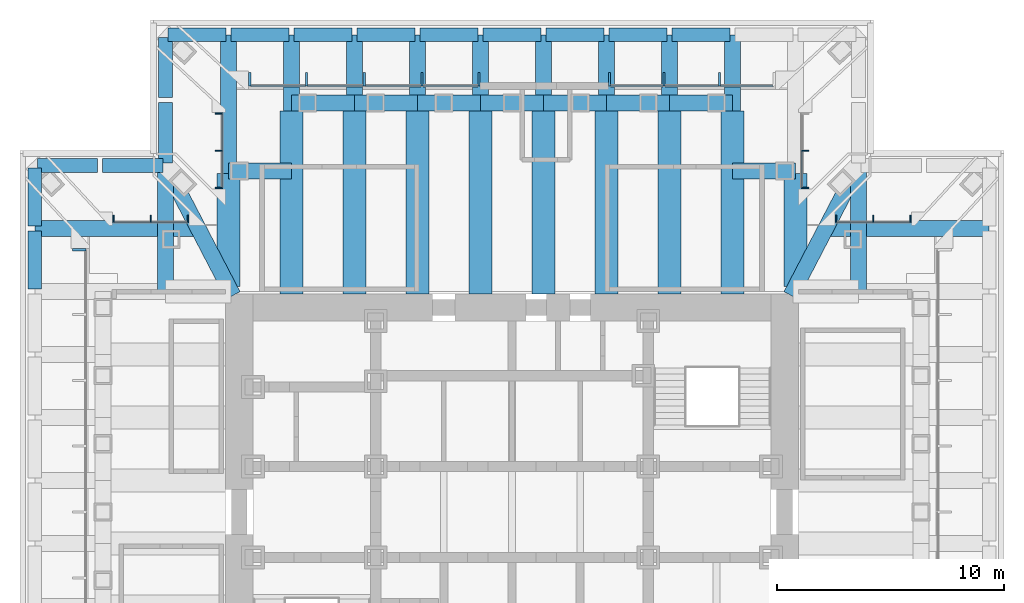
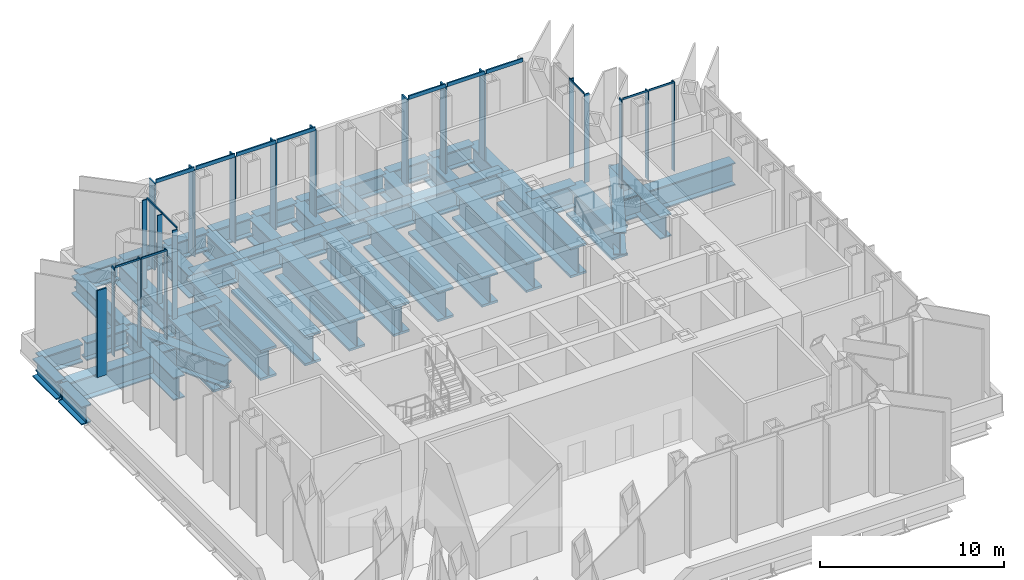
# One storey, part 5 of 13: 49 beams, 34 members, 7 elements without a shape of their own.
"""IFC4 building model written with IfcOpenShell, lengths in metres."""

import ifcopenshell
import ifcopenshell.guid

model = None  # the IFC model being written
_history = None  # IfcOwnerHistory: only IFC2X3 demands one
_inside = {}  # id of a spatial element -> (the spatial element, [elements in it])
_under = {}  # id of a project, library or spatial element -> (it, [spatial elements below it])
_declared = {}  # id of a project -> (the project, [libraries it declares])
_typed = {}  # id of a type object -> (the type object, [elements of that type])
_made_of = {}  # id of a material, layer set ... -> (it, [elements and type objects made of it])


def new_model(schema):
    """Start an empty IFC model of exactly this schema.

    Asked for "IFC4X3", IfcOpenShell would pick the latest addendum, in which some entities
    have other attributes; the version numbers below select the first issue.
    IFC2X3 requires an IfcOwnerHistory on every rooted entity: one is made here for all.
    """
    global model, _history
    if schema == "IFC4X3":
        model = ifcopenshell.file(schema_version=(4, 3, 0, 0))
    else:
        model = ifcopenshell.file(schema=schema)
    _inside.clear()
    _under.clear()
    _declared.clear()
    _typed.clear()
    _made_of.clear()
    _history = None
    if model.schema == "IFC2X3":
        org = make("IfcOrganization", Name="unknown")
        user = make(
            "IfcPersonAndOrganization",
            ThePerson=make("IfcPerson", FamilyName="unknown"),
            TheOrganization=org,
        )
        app = make(
            "IfcApplication",
            ApplicationDeveloper=org,
            Version="unknown",
            ApplicationFullName="unknown",
            ApplicationIdentifier="unknown",
        )
        _history = make(
            "IfcOwnerHistory",
            OwningUser=user,
            OwningApplication=app,
            ChangeAction="ADDED",
            CreationDate=0,
        )
    return model


def make(cls, **values):
    """One entity of the class cls with the attributes given. An attribute that is None is left unset."""
    return model.create_entity(
        cls, **{name: value for name, value in values.items() if value is not None}
    )


def rooted(cls, **values):
    """An entity with a GlobalId (a new one), such as an element, a storey or a relation."""
    return make(cls, GlobalId=ifcopenshell.guid.new(), OwnerHistory=_history, **values)


def si_unit(unit_type, name, prefix=None):
    """IfcSIUnit, for example si_unit("LENGTHUNIT", "METRE", prefix="MILLI")."""
    return make("IfcSIUnit", UnitType=unit_type, Prefix=prefix, Name=name)


def assignment(units):
    """IfcUnitAssignment: the units of a project."""
    return None if units is None else make("IfcUnitAssignment", Units=units)


def point(xyz):
    """IfcCartesianPoint."""
    return None if xyz is None else make("IfcCartesianPoint", Coordinates=xyz)


def direction(xyz):
    """IfcDirection."""
    return None if xyz is None else make("IfcDirection", DirectionRatios=xyz)


def frame(location, z_axis=None, x_axis=None):
    """IfcAxis2Placement3D, a coordinate frame: its origin and axes. An axis left out is left unset."""
    return make(
        "IfcAxis2Placement3D",
        Location=point(location),
        Axis=direction(z_axis),
        RefDirection=direction(x_axis),
    )


def frame_2d(location, x_axis=None):
    """IfcAxis2Placement2D, a coordinate frame in the plane: its origin and x axis."""
    return make(
        "IfcAxis2Placement2D", Location=point(location), RefDirection=direction(x_axis)
    )


def origin():
    """The frame at (0, 0, 0) with its axes left unset."""
    return frame((0.0, 0.0, 0.0))


def origin_2d():
    """The frame at (0, 0) in the plane with its x axis left unset."""
    return frame_2d((0.0, 0.0))


def place(relative_to, where):
    """IfcLocalPlacement: puts the frame where relative to a parent placement (None: the world)."""
    return make(
        "IfcLocalPlacement", PlacementRelTo=relative_to, RelativePlacement=where
    )


def context(
    kind, dimensions, precision=None, world=None, true_north=None, identifier=None
):
    """IfcGeometricRepresentationContext, for example the 3D "Model" context."""
    return make(
        "IfcGeometricRepresentationContext",
        ContextIdentifier=identifier,
        ContextType=kind,
        CoordinateSpaceDimension=dimensions,
        Precision=precision,
        WorldCoordinateSystem=world,
        TrueNorth=true_north,
    )


def subcontext(parent, identifier, kind, view, scale=None):
    """IfcGeometricRepresentationSubContext, for example "Body" below "Model"."""
    return make(
        "IfcGeometricRepresentationSubContext",
        ContextIdentifier=identifier,
        ContextType=kind,
        ParentContext=parent,
        TargetScale=scale,
        TargetView=view,
    )


def project(units=None, contexts=None):
    """IfcProject with its units and contexts."""
    return rooted(
        "IfcProject",
        Name="project",
        RepresentationContexts=contexts,
        UnitsInContext=assignment(units),
    )


def spatial(cls, under=None, at=None, **own):
    """A site, building, storey or space (cls), placed at a placement, below another one or the project."""
    s = rooted(cls, ObjectPlacement=at, **own)
    if under is not None:
        _under.setdefault(under.id(), (under, []))[1].append(s)
    return s


def profile(cls, at=None, kind="AREA", **sizes):
    """A parametric profile (cls). Its sizes go by their IFC names, for example OverallWidth=200.0."""
    return make(cls, ProfileType=kind, Position=at, **sizes)


def rectangle(**sizes):
    """IfcRectangleProfileDef."""
    return profile("IfcRectangleProfileDef", **sizes)


def i_section(**sizes):
    """IfcIShapeProfileDef."""
    return profile("IfcIShapeProfileDef", **sizes)


def extrude(swept, where, along, depth):
    """IfcExtrudedAreaSolid: the profile swept, set in the frame where, extruded along a direction by depth."""
    return make(
        "IfcExtrudedAreaSolid",
        SweptArea=swept,
        Position=where,
        ExtrudedDirection=direction(along),
        Depth=depth,
    )


def shape(context_of_items, identifier, shape_type, items):
    """IfcShapeRepresentation: the items that make up one representation, for example the "Body"."""
    return make(
        "IfcShapeRepresentation",
        ContextOfItems=context_of_items,
        RepresentationIdentifier=identifier,
        RepresentationType=shape_type,
        Items=items,
    )


def material(Name=None, Category=None):
    """IfcMaterial."""
    return make("IfcMaterial", Name=Name, Category=Category)


def material_profile(
    of_material, cross_section, Name=None, Category=None, Priority=None
):
    """IfcMaterialProfile: a cross section and its material."""
    return make(
        "IfcMaterialProfile",
        Name=Name,
        Material=of_material,
        Profile=cross_section,
        Priority=Priority,
        Category=Category,
    )


def profile_set(profiles, Name=None, composite=None):
    """IfcMaterialProfileSet."""
    return make(
        "IfcMaterialProfileSet",
        Name=Name,
        MaterialProfiles=profiles,
        CompositeProfile=composite,
    )


def made_of(thing, what):
    """Note that an element or type object is made of a material, layer set ...; save() writes the relation."""
    if what is not None:
        _made_of.setdefault(what.id(), (what, []))[1].append(thing)
    return thing


def type_object(cls, material=None, **own):
    """A type object (cls), such as IfcWallType, which elements share."""
    return made_of(rooted(cls, **own), material)


def element(
    cls,
    number,
    at=None,
    inside=None,
    cuts=None,
    type_object=None,
    material=None,
    context=None,
    identifier="Body",
    shape_type=None,
    held_by="IfcProductDefinitionShape",
    body=None,
    shapes=None,
    **own,
):
    """One element of the class cls, such as IfcWall. Its Tag is "e" and its number.

    at: its placement. inside: the storey or other place that contains it. cuts: it is an
    opening in that element (IfcRelVoidsElement). A single representation is given by context,
    identifier, shape_type and body (its items); several are given by shapes. held_by: the class
    of the entity that holds the representations. save() writes the other relations.
    """
    e = rooted(cls, Tag="e%d" % number, ObjectPlacement=at, **own)
    if body is not None:
        shapes = [shape(context, identifier, shape_type, body)]
    if shapes is not None:
        e.Representation = make(held_by, Representations=shapes)
    if inside is not None:
        _inside.setdefault(inside.id(), (inside, []))[1].append(e)
    if cuts is not None:
        rooted(
            "IfcRelVoidsElement", RelatingBuildingElement=cuts, RelatedOpeningElement=e
        )
    if type_object is not None:
        _typed.setdefault(type_object.id(), (type_object, []))[1].append(e)
    return made_of(e, material)


def aggregate(whole, parts):
    """IfcRelAggregates: a whole, such as a stair, and the parts it consists of."""
    return rooted("IfcRelAggregates", RelatingObject=whole, RelatedObjects=parts)


def save(model, path):
    """Write the relations noted so far, then the file.

    IfcRelAggregates (storeys below a building ...), IfcRelContainedInSpatialStructure (elements
    in a storey), IfcRelDefinesByType, IfcRelAssociatesMaterial and IfcRelDeclares: one each for
    every whole, place, type object, material and project.
    """
    for whole, parts in _under.values():
        aggregate(whole, parts)
    for where, things in _inside.values():
        rooted(
            "IfcRelContainedInSpatialStructure",
            RelatedElements=things,
            RelatingStructure=where,
        )
    for kind, things in _typed.values():
        rooted("IfcRelDefinesByType", RelatedObjects=things, RelatingType=kind)
    for what, things in _made_of.values():
        rooted("IfcRelAssociatesMaterial", RelatedObjects=things, RelatingMaterial=what)
    for by, libraries in _declared.values():
        rooted("IfcRelDeclares", RelatingContext=by, RelatedDefinitions=libraries)
    model.write(path)


model = new_model("IFC4")

# Units and contexts
model_context = context("Model", 3, precision=1e-05, world=origin(), true_north=direction((0.0, 1.0)))
body_context = subcontext(model_context, "Body", "Model", "MODEL_VIEW")
ifc_project = project(units=[si_unit("LENGTHUNIT", "METRE"), si_unit("AREAUNIT", "SQUARE_METRE"), si_unit("VOLUMEUNIT", "CUBIC_METRE"), si_unit("PLANEANGLEUNIT", "RADIAN"), si_unit("MASSUNIT", "GRAM", prefix="KILO")], contexts=[model_context])

# Site, building, storey
site_placement = place(None, origin())
site = spatial("IfcSite", under=ifc_project, at=site_placement, CompositionType="ELEMENT")
building_placement = place(site_placement, origin())
building = spatial("IfcBuilding", under=site, at=building_placement, Name="Daluyong Arena Tower", CompositionType="ELEMENT")
storey_placement = place(building_placement, frame((0.0, 0.0, 279.699951171875)))
storey = spatial("IfcBuildingStorey", under=building, at=storey_placement, Name="L63", CompositionType="ELEMENT", Elevation=279.699951171875)

# Curtain wall, members
ifc_material_1 = material(Name="Bronze anodised aluminium and glass", Category="aluminium")
curtain_wall_type_1 = type_object("IfcCurtainWallType", Name="Curtain wall CW5", PredefinedType="USERDEFINED", material=ifc_material_1)
curtain_wall_1_placement = place(storey_placement, origin())
curtain_wall_1 = element("IfcCurtainWall", 1, at=curtain_wall_1_placement, inside=storey, type_object=curtain_wall_type_1, Name="curtain wall L63 N part 1", ObjectType="UNITISED CURTAIN WALL", PredefinedType="USERDEFINED")
ifc_material_2 = material(Name="Bronze anodised aluminium fin", Category="aluminium")
ifc_material_profile_1 = material_profile(ifc_material_2, rectangle(XDim=0.60009765625, YDim=0.090087890625, at=origin_2d()))
ifc_profile_set_1 = profile_set([ifc_material_profile_1], Name="Bronze anodised aluminium fin")
member_type_1 = type_object("IfcMemberType", Name="CW5 bronze fin 600x90", PredefinedType="MULLION", material=ifc_profile_set_1)
member_1_placement = place(storey_placement, frame((65.140380859375, 99.050048828125, 0.0), z_axis=(0.0, 0.0, 1.0), x_axis=(0.0, -1.0, 0.0)))
member_1 = element("IfcMember", 2, at=member_1_placement, type_object=member_type_1, Name="curtain wall L63 N part 1 fin 2", PredefinedType="MULLION", context=body_context, shape_type="SweptSolid", body=[
    extrude(rectangle(XDim=0.60009765625, YDim=0.090087890625, at=origin_2d()), origin(), (0.0, 0.0, 1.0), 5.760009765625),
])
member_2_placement = place(storey_placement, frame((62.695068359375, 99.050048828125, 0.0), z_axis=(0.0, 0.0, 1.0), x_axis=(0.0, -1.0, 0.0)))
member_2 = element("IfcMember", 3, at=member_2_placement, type_object=member_type_1, Name="curtain wall L63 N part 1 fin 3", PredefinedType="MULLION", context=body_context, shape_type="SweptSolid", body=[
    extrude(rectangle(XDim=0.60009765625, YDim=0.090087890625, at=origin_2d()), origin(), (0.0, 0.0, 1.0), 5.760009765625),
])
member_3_placement = place(storey_placement, frame((60.294921875, 99.050048828125, 0.0), z_axis=(0.0, 0.0, 1.0), x_axis=(0.0, -1.0, 0.0)))
member_3 = element("IfcMember", 4, at=member_3_placement, type_object=member_type_1, Name="curtain wall L63 N part 1 fin 4", PredefinedType="MULLION", context=body_context, shape_type="SweptSolid", body=[
    extrude(rectangle(XDim=0.60009765625, YDim=0.090087890625, at=origin_2d()), origin(), (0.0, 0.0, 1.0), 5.760009765625),
])

curtain_wall_2_placement = place(storey_placement, origin())
curtain_wall_2 = element("IfcCurtainWall", 5, at=curtain_wall_2_placement, inside=storey, type_object=curtain_wall_type_1, Name="curtain wall L63 N part 2", ObjectType="UNITISED CURTAIN WALL", PredefinedType="USERDEFINED")
member_4_placement = place(storey_placement, frame((54.538330078125, 99.050048828125, 0.0), z_axis=(0.0, 0.0, 1.0), x_axis=(0.0, -1.0, 0.0)))
member_4 = element("IfcMember", 6, at=member_4_placement, type_object=member_type_1, Name="curtain wall L63 N part 2 fin 1", PredefinedType="MULLION", context=body_context, shape_type="SweptSolid", body=[
    extrude(rectangle(XDim=0.60009765625, YDim=0.090087890625, at=origin_2d()), origin(), (0.0, 0.0, 1.0), 5.760009765625),
])
member_5_placement = place(storey_placement, frame((52.041015625, 99.050048828125, 0.0), z_axis=(0.0, 0.0, 1.0), x_axis=(0.0, -1.0, 0.0)))
member_5 = element("IfcMember", 7, at=member_5_placement, type_object=member_type_1, Name="curtain wall L63 N part 2 fin 2", PredefinedType="MULLION", context=body_context, shape_type="SweptSolid", body=[
    extrude(rectangle(XDim=0.60009765625, YDim=0.090087890625, at=origin_2d()), origin(), (0.0, 0.0, 1.0), 5.760009765625),
])
member_6_placement = place(storey_placement, frame((49.498779296875, 99.050048828125, 0.0), z_axis=(0.0, 0.0, 1.0), x_axis=(0.0, -1.0, 0.0)))
member_6 = element("IfcMember", 8, at=member_6_placement, type_object=member_type_1, Name="curtain wall L63 N part 2 fin 3", PredefinedType="MULLION", context=body_context, shape_type="SweptSolid", body=[
    extrude(rectangle(XDim=0.60009765625, YDim=0.090087890625, at=origin_2d()), origin(), (0.0, 0.0, 1.0), 5.760009765625),
])
member_7_placement = place(storey_placement, frame((46.956787109375, 99.050048828125, 0.0), z_axis=(0.0, 0.0, 1.0), x_axis=(0.0, -1.0, 0.0)))
member_7 = element("IfcMember", 9, at=member_7_placement, type_object=member_type_1, Name="curtain wall L63 N part 2 fin 4", PredefinedType="MULLION", context=body_context, shape_type="SweptSolid", body=[
    extrude(rectangle(XDim=0.60009765625, YDim=0.090087890625, at=origin_2d()), origin(), (0.0, 0.0, 1.0), 5.760009765625),
])
member_8_placement = place(storey_placement, frame((44.45947265625, 99.050048828125, 0.0), z_axis=(0.0, 0.0, 1.0), x_axis=(0.0, -1.0, 0.0)))
member_8 = element("IfcMember", 10, at=member_8_placement, type_object=member_type_1, Name="curtain wall L63 N part 2 fin 5", PredefinedType="MULLION", context=body_context, shape_type="SweptSolid", body=[
    extrude(rectangle(XDim=0.60009765625, YDim=0.090087890625, at=origin_2d()), origin(), (0.0, 0.0, 1.0), 5.760009765625),
])

# Curtain wall, member
curtain_wall_3_placement = place(storey_placement, origin())
curtain_wall_3 = element("IfcCurtainWall", 11, at=curtain_wall_3_placement, inside=storey, type_object=curtain_wall_type_1, Name="curtain wall L63 W", ObjectType="UNITISED CURTAIN WALL", PredefinedType="USERDEFINED")
member_9_placement = place(storey_placement, frame((36.949951171875, 91.54052734375, 0.0), z_axis=(0.0, 0.0, 1.0), x_axis=(1.0, 0.0, 0.0)))
member_9 = element("IfcMember", 12, at=member_9_placement, type_object=member_type_1, Name="curtain wall L63 W fin 1", PredefinedType="MULLION", context=body_context, shape_type="SweptSolid", body=[
    extrude(rectangle(XDim=0.60009765625, YDim=0.090087890625, at=origin_2d()), origin(), (0.0, 0.0, 1.0), 5.760009765625),
])
aggregate(curtain_wall_3, [member_9])

# Member
ifc_material_3 = material(Name="Bronze anodised aluminium", Category="aluminium")
ifc_material_profile_2 = material_profile(ifc_material_3, rectangle(XDim=0.090087890625, YDim=0.239990234375, at=origin_2d()))
ifc_profile_set_2 = profile_set([ifc_material_profile_2], Name="Bronze anodised aluminium")
member_type_2 = type_object("IfcMemberType", Name="CW5 stack transom 240x90", PredefinedType="USERDEFINED", material=ifc_profile_set_2)
member_10_placement = place(storey_placement, frame((67.49560546875, 98.75, 5.880126953125), z_axis=(-1.0, 0.0, 0.0), x_axis=(0.0, -1.0, 0.0)))
member_10 = element("IfcMember", 13, at=member_10_placement, type_object=member_type_2, Name="curtain wall L63 N part 1 transom 1", ObjectType="TRANSOM", PredefinedType="USERDEFINED", context=body_context, shape_type="SweptSolid", body=[
    extrude(rectangle(XDim=0.090087890625, YDim=0.239990234375, at=origin_2d()), origin(), (0.0, 0.0, 1.0), 2.310302734375),
])

member_11_placement = place(storey_placement, frame((65.09521484375, 98.75, 5.880126953125), z_axis=(-1.0, 0.0, 0.0), x_axis=(0.0, -1.0, 0.0)))
member_11 = element("IfcMember", 14, at=member_11_placement, type_object=member_type_2, Name="curtain wall L63 N part 1 transom 2", ObjectType="TRANSOM", PredefinedType="USERDEFINED", context=body_context, shape_type="SweptSolid", body=[
    extrude(rectangle(XDim=0.090087890625, YDim=0.239990234375, at=origin_2d()), origin(), (0.0, 0.0, 1.0), 2.35498046875),
])

member_12_placement = place(storey_placement, frame((62.650146484375, 98.75, 5.880126953125), z_axis=(-1.0, 0.0, 0.0), x_axis=(0.0, -1.0, 0.0)))
member_12 = element("IfcMember", 15, at=member_12_placement, type_object=member_type_2, Name="curtain wall L63 N part 1 transom 3", ObjectType="TRANSOM", PredefinedType="USERDEFINED", context=body_context, shape_type="SweptSolid", body=[
    extrude(rectangle(XDim=0.090087890625, YDim=0.239990234375, at=origin_2d()), origin(), (0.0, 0.0, 1.0), 2.31005859375),
])

aggregate(curtain_wall_1, [member_1, member_2, member_3, member_10, member_11, member_12])

member_13_placement = place(storey_placement, frame((54.493408203125, 98.75, 5.880126953125), z_axis=(-1.0, 0.0, 0.0), x_axis=(0.0, -1.0, 0.0)))
member_13 = element("IfcMember", 16, at=member_13_placement, type_object=member_type_2, Name="curtain wall L63 N part 2 transom 1", ObjectType="TRANSOM", PredefinedType="USERDEFINED", context=body_context, shape_type="SweptSolid", body=[
    extrude(rectangle(XDim=0.090087890625, YDim=0.239990234375, at=origin_2d()), origin(), (0.0, 0.0, 1.0), 2.4072265625),
])

member_14_placement = place(storey_placement, frame((51.99609375, 98.75, 5.880126953125), z_axis=(-1.0, 0.0, 0.0), x_axis=(0.0, -1.0, 0.0)))
member_14 = element("IfcMember", 17, at=member_14_placement, type_object=member_type_2, Name="curtain wall L63 N part 2 transom 2", ObjectType="TRANSOM", PredefinedType="USERDEFINED", context=body_context, shape_type="SweptSolid", body=[
    extrude(rectangle(XDim=0.090087890625, YDim=0.239990234375, at=origin_2d()), origin(), (0.0, 0.0, 1.0), 2.4521484375),
])

member_15_placement = place(storey_placement, frame((49.453857421875, 98.75, 5.880126953125), z_axis=(-1.0, 0.0, 0.0), x_axis=(0.0, -1.0, 0.0)))
member_15 = element("IfcMember", 18, at=member_15_placement, type_object=member_type_2, Name="curtain wall L63 N part 2 transom 3", ObjectType="TRANSOM", PredefinedType="USERDEFINED", context=body_context, shape_type="SweptSolid", body=[
    extrude(rectangle(XDim=0.090087890625, YDim=0.239990234375, at=origin_2d()), origin(), (0.0, 0.0, 1.0), 2.4521484375),
])

member_16_placement = place(storey_placement, frame((46.91162109375, 98.75, 5.880126953125), z_axis=(-1.0, 0.0, 0.0), x_axis=(0.0, -1.0, 0.0)))
member_16 = element("IfcMember", 19, at=member_16_placement, type_object=member_type_2, Name="curtain wall L63 N part 2 transom 4", ObjectType="TRANSOM", PredefinedType="USERDEFINED", context=body_context, shape_type="SweptSolid", body=[
    extrude(rectangle(XDim=0.090087890625, YDim=0.239990234375, at=origin_2d()), origin(), (0.0, 0.0, 1.0), 2.4072265625),
])

aggregate(curtain_wall_2, [member_4, member_5, member_6, member_7, member_8, member_13, member_14, member_15, member_16])

# Curtain wall, members
ifc_material_4 = material(Name="Bronze anodised aluminium and glass", Category="aluminium")
curtain_wall_type_2 = type_object("IfcCurtainWallType", Name="Curtain wall CW7", PredefinedType="USERDEFINED", material=ifc_material_4)
curtain_wall_4_placement = place(storey_placement, origin())
curtain_wall_4 = element("IfcCurtainWall", 20, at=curtain_wall_4_placement, inside=storey, type_object=curtain_wall_type_2, Name="curtain wall L63 NE-N", ObjectType="UNITISED CURTAIN WALL", PredefinedType="USERDEFINED")
ifc_material_5 = material(Name="Bronze anodised aluminium fin", Category="aluminium")
ifc_material_profile_3 = material_profile(ifc_material_5, rectangle(XDim=0.300048828125, YDim=0.06005859375, at=origin_2d()))
ifc_profile_set_3 = profile_set([ifc_material_profile_3], Name="Bronze anodised aluminium fin")
member_type_3 = type_object("IfcMemberType", Name="CW7 bronze fin 300x60", PredefinedType="MULLION", material=ifc_profile_set_3)
member_17_placement = place(storey_placement, frame((73.54052734375, 92.89990234375, 0.0), z_axis=(0.0, 0.0, 1.0), x_axis=(0.0, -1.0, 0.0)))
member_17 = element("IfcMember", 21, at=member_17_placement, type_object=member_type_3, Name="curtain wall L63 NE-N fin 1", PredefinedType="MULLION", context=body_context, shape_type="SweptSolid", body=[
    extrude(rectangle(XDim=0.300048828125, YDim=0.06005859375, at=origin_2d()), origin(), (0.0, 0.0, 1.0), 5.880126953125),
])
member_18_placement = place(storey_placement, frame((71.896240234375, 92.89990234375, 0.0), z_axis=(0.0, 0.0, 1.0), x_axis=(0.0, -1.0, 0.0)))
member_18 = element("IfcMember", 22, at=member_18_placement, type_object=member_type_3, Name="curtain wall L63 NE-N fin 2", PredefinedType="MULLION", context=body_context, shape_type="SweptSolid", body=[
    extrude(rectangle(XDim=0.300048828125, YDim=0.06005859375, at=origin_2d()), origin(), (0.0, 0.0, 1.0), 5.880126953125),
])
member_19_placement = place(storey_placement, frame((70.252197265625, 92.89990234375, 0.0), z_axis=(0.0, 0.0, 1.0), x_axis=(0.0, -1.0, 0.0)))
member_19 = element("IfcMember", 23, at=member_19_placement, type_object=member_type_3, Name="curtain wall L63 NE-N fin 3", PredefinedType="MULLION", context=body_context, shape_type="SweptSolid", body=[
    extrude(rectangle(XDim=0.300048828125, YDim=0.06005859375, at=origin_2d()), origin(), (0.0, 0.0, 1.0), 5.880126953125),
])

curtain_wall_5_placement = place(storey_placement, origin())
curtain_wall_5 = element("IfcCurtainWall", 24, at=curtain_wall_5_placement, inside=storey, type_object=curtain_wall_type_2, Name="curtain wall L63 NE-E", ObjectType="UNITISED CURTAIN WALL", PredefinedType="USERDEFINED")
member_20_placement = place(storey_placement, frame((68.89990234375, 94.252197265625, 0.0), z_axis=(0.0, 0.0, 1.0), x_axis=(-1.0, 0.0, 0.0)))
member_20 = element("IfcMember", 25, at=member_20_placement, type_object=member_type_3, Name="curtain wall L63 NE-E fin 1", PredefinedType="MULLION", context=body_context, shape_type="SweptSolid", body=[
    extrude(rectangle(XDim=0.300048828125, YDim=0.06005859375, at=origin_2d()), origin(), (0.0, 0.0, 1.0), 5.880126953125),
])
member_21_placement = place(storey_placement, frame((68.89990234375, 95.896240234375, 0.0), z_axis=(0.0, 0.0, 1.0), x_axis=(-1.0, 0.0, 0.0)))
member_21 = element("IfcMember", 26, at=member_21_placement, type_object=member_type_3, Name="curtain wall L63 NE-E fin 2", PredefinedType="MULLION", context=body_context, shape_type="SweptSolid", body=[
    extrude(rectangle(XDim=0.300048828125, YDim=0.06005859375, at=origin_2d()), origin(), (0.0, 0.0, 1.0), 5.880126953125),
])

curtain_wall_6_placement = place(storey_placement, origin())
curtain_wall_6 = element("IfcCurtainWall", 27, at=curtain_wall_6_placement, inside=storey, type_object=curtain_wall_type_2, Name="curtain wall L63 NW-W", ObjectType="UNITISED CURTAIN WALL", PredefinedType="USERDEFINED")
member_22_placement = place(storey_placement, frame((43.10009765625, 97.54052734375, 0.0), z_axis=(0.0, 0.0, 1.0), x_axis=(1.0, 0.0, 0.0)))
member_22 = element("IfcMember", 28, at=member_22_placement, type_object=member_type_3, Name="curtain wall L63 NW-W fin 1", PredefinedType="MULLION", context=body_context, shape_type="SweptSolid", body=[
    extrude(rectangle(XDim=0.300048828125, YDim=0.06005859375, at=origin_2d()), origin(), (0.0, 0.0, 1.0), 5.880126953125),
])
member_23_placement = place(storey_placement, frame((43.10009765625, 95.896240234375, 0.0), z_axis=(0.0, 0.0, 1.0), x_axis=(1.0, 0.0, 0.0)))
member_23 = element("IfcMember", 29, at=member_23_placement, type_object=member_type_3, Name="curtain wall L63 NW-W fin 2", PredefinedType="MULLION", context=body_context, shape_type="SweptSolid", body=[
    extrude(rectangle(XDim=0.300048828125, YDim=0.06005859375, at=origin_2d()), origin(), (0.0, 0.0, 1.0), 5.880126953125),
])
member_24_placement = place(storey_placement, frame((43.10009765625, 94.252197265625, 0.0), z_axis=(0.0, 0.0, 1.0), x_axis=(1.0, 0.0, 0.0)))
member_24 = element("IfcMember", 30, at=member_24_placement, type_object=member_type_3, Name="curtain wall L63 NW-W fin 3", PredefinedType="MULLION", context=body_context, shape_type="SweptSolid", body=[
    extrude(rectangle(XDim=0.300048828125, YDim=0.06005859375, at=origin_2d()), origin(), (0.0, 0.0, 1.0), 5.880126953125),
])

curtain_wall_7_placement = place(storey_placement, origin())
curtain_wall_7 = element("IfcCurtainWall", 31, at=curtain_wall_7_placement, inside=storey, type_object=curtain_wall_type_2, Name="curtain wall L63 NW-N", ObjectType="UNITISED CURTAIN WALL", PredefinedType="USERDEFINED")
member_25_placement = place(storey_placement, frame((41.747802734375, 92.89990234375, 0.0), z_axis=(0.0, 0.0, 1.0), x_axis=(0.0, -1.0, 0.0)))
member_25 = element("IfcMember", 32, at=member_25_placement, type_object=member_type_3, Name="curtain wall L63 NW-N fin 1", PredefinedType="MULLION", context=body_context, shape_type="SweptSolid", body=[
    extrude(rectangle(XDim=0.300048828125, YDim=0.06005859375, at=origin_2d()), origin(), (0.0, 0.0, 1.0), 5.880126953125),
])
member_26_placement = place(storey_placement, frame((40.103759765625, 92.89990234375, 0.0), z_axis=(0.0, 0.0, 1.0), x_axis=(0.0, -1.0, 0.0)))
member_26 = element("IfcMember", 33, at=member_26_placement, type_object=member_type_3, Name="curtain wall L63 NW-N fin 2", PredefinedType="MULLION", context=body_context, shape_type="SweptSolid", body=[
    extrude(rectangle(XDim=0.300048828125, YDim=0.06005859375, at=origin_2d()), origin(), (0.0, 0.0, 1.0), 5.880126953125),
])
member_27_placement = place(storey_placement, frame((38.45947265625, 92.89990234375, 0.0), z_axis=(0.0, 0.0, 1.0), x_axis=(0.0, -1.0, 0.0)))
member_27 = element("IfcMember", 34, at=member_27_placement, type_object=member_type_3, Name="curtain wall L63 NW-N fin 3", PredefinedType="MULLION", context=body_context, shape_type="SweptSolid", body=[
    extrude(rectangle(XDim=0.300048828125, YDim=0.06005859375, at=origin_2d()), origin(), (0.0, 0.0, 1.0), 5.880126953125),
])

# Member
ifc_material_6 = material(Name="Bronze anodised aluminium", Category="aluminium")
ifc_material_profile_4 = material_profile(ifc_material_6, rectangle(XDim=0.06005859375, YDim=0.1201171875, at=origin_2d()))
ifc_profile_set_4 = profile_set([ifc_material_profile_4], Name="Bronze anodised aluminium")
member_type_4 = type_object("IfcMemberType", Name="CW7 stack transom 120x60", PredefinedType="USERDEFINED", material=ifc_profile_set_4)
member_28_placement = place(storey_placement, frame((73.510498046875, 92.75, 5.93994140625), z_axis=(-1.0, 0.0, 0.0), x_axis=(0.0, -1.0, 0.0)))
member_28 = element("IfcMember", 35, at=member_28_placement, type_object=member_type_4, Name="curtain wall L63 NE-N transom 1", ObjectType="TRANSOM", PredefinedType="USERDEFINED", context=body_context, shape_type="SweptSolid", body=[
    extrude(rectangle(XDim=0.06005859375, YDim=0.1201171875, at=origin_2d()), origin(), (0.0, 0.0, 1.0), 1.584228515625),
])

member_29_placement = place(storey_placement, frame((71.8662109375, 92.75, 5.93994140625), z_axis=(-1.0, 0.0, 0.0), x_axis=(0.0, -1.0, 0.0)))
member_29 = element("IfcMember", 36, at=member_29_placement, type_object=member_type_4, Name="curtain wall L63 NE-N transom 2", ObjectType="TRANSOM", PredefinedType="USERDEFINED", context=body_context, shape_type="SweptSolid", body=[
    extrude(rectangle(XDim=0.06005859375, YDim=0.1201171875, at=origin_2d()), origin(), (0.0, 0.0, 1.0), 1.584228515625),
])

aggregate(curtain_wall_4, [member_17, member_18, member_19, member_28, member_29])

member_30_placement = place(storey_placement, frame((68.75, 94.281982421875, 5.93994140625), z_axis=(0.0, 1.0, 0.0), x_axis=(-1.0, 0.0, 0.0)))
member_30 = element("IfcMember", 37, at=member_30_placement, type_object=member_type_4, Name="curtain wall L63 NE-E transom 1", ObjectType="TRANSOM", PredefinedType="USERDEFINED", context=body_context, shape_type="SweptSolid", body=[
    extrude(rectangle(XDim=0.06005859375, YDim=0.1201171875, at=origin_2d()), origin(), (0.0, 0.0, 1.0), 1.584228515625),
])

aggregate(curtain_wall_5, [member_20, member_21, member_30])

member_31_placement = place(storey_placement, frame((43.25, 97.510498046875, 5.93994140625), z_axis=(0.0, -1.0, 0.0), x_axis=(1.0, 0.0, 0.0)))
member_31 = element("IfcMember", 38, at=member_31_placement, type_object=member_type_4, Name="curtain wall L63 NW-W transom 1", ObjectType="TRANSOM", PredefinedType="USERDEFINED", context=body_context, shape_type="SweptSolid", body=[
    extrude(rectangle(XDim=0.06005859375, YDim=0.1201171875, at=origin_2d()), origin(), (0.0, 0.0, 1.0), 1.584228515625),
])

member_32_placement = place(storey_placement, frame((43.25, 95.8662109375, 5.93994140625), z_axis=(0.0, -1.0, 0.0), x_axis=(1.0, 0.0, 0.0)))
member_32 = element("IfcMember", 39, at=member_32_placement, type_object=member_type_4, Name="curtain wall L63 NW-W transom 2", ObjectType="TRANSOM", PredefinedType="USERDEFINED", context=body_context, shape_type="SweptSolid", body=[
    extrude(rectangle(XDim=0.06005859375, YDim=0.1201171875, at=origin_2d()), origin(), (0.0, 0.0, 1.0), 1.584228515625),
])

aggregate(curtain_wall_6, [member_22, member_23, member_24, member_31, member_32])

member_33_placement = place(storey_placement, frame((41.718017578125, 92.75, 5.93994140625), z_axis=(-1.0, 0.0, 0.0), x_axis=(0.0, -1.0, 0.0)))
member_33 = element("IfcMember", 40, at=member_33_placement, type_object=member_type_4, Name="curtain wall L63 NW-N transom 1", ObjectType="TRANSOM", PredefinedType="USERDEFINED", context=body_context, shape_type="SweptSolid", body=[
    extrude(rectangle(XDim=0.06005859375, YDim=0.1201171875, at=origin_2d()), origin(), (0.0, 0.0, 1.0), 1.584228515625),
])

member_34_placement = place(storey_placement, frame((40.07373046875, 92.75, 5.93994140625), z_axis=(-1.0, 0.0, 0.0), x_axis=(0.0, -1.0, 0.0)))
member_34 = element("IfcMember", 41, at=member_34_placement, type_object=member_type_4, Name="curtain wall L63 NW-N transom 2", ObjectType="TRANSOM", PredefinedType="USERDEFINED", context=body_context, shape_type="SweptSolid", body=[
    extrude(rectangle(XDim=0.06005859375, YDim=0.1201171875, at=origin_2d()), origin(), (0.0, 0.0, 1.0), 1.584228515625),
])

aggregate(curtain_wall_7, [member_25, member_26, member_27, member_33, member_34])

# Beams
ifc_material_7 = material(Name="Steel ASTM A588 Grade 50", Category="steel")
ifc_material_profile_5 = material_profile(ifc_material_7, i_section(OverallWidth=1.0, OverallDepth=2.0, WebThickness=0.06, FlangeThickness=0.15, at=origin_2d()))
ifc_profile_set_5 = profile_set([ifc_material_profile_5], Name="Steel ASTM A588 Grade 50")
beam_type_1 = type_object("IfcBeamType", Name="Floor beam PG2000X1000", PredefinedType="BEAM", material=ifc_profile_set_5)
beam_1_placement = place(storey_placement, frame((68.477294921875, 94.885009765625, -1.25), z_axis=(0.0, -1.0, 0.0), x_axis=(1.0, 0.0, 0.0)))
element("IfcBeam", 42, at=beam_1_placement, inside=storey, type_object=beam_type_1, Name="floor beam FB5", PredefinedType="BEAM", context=body_context, shape_type="SweptSolid", body=[
    extrude(i_section(OverallWidth=1.0, OverallDepth=2.0, WebThickness=0.06, FlangeThickness=0.15, at=origin_2d()), origin(), (0.0, 0.0, 1.0), 4.96728515625),
])
for number, where, z_axis, x_axis, name in (
    (43, (65.70458984375, 97.64990234375, -1.25), (0.0, -1.0, 0.0), (1.0, 0.0, 0.0), "floor beam FB5"),
    (44, (62.931884765625, 97.64990234375, -1.25), (0.0, -1.0, 0.0), (1.0, 0.0, 0.0), "floor beam FB5"),
    (45, (60.1591796875, 97.64990234375, -1.25), (0.0, -1.0, 0.0), (1.0, 0.0, 0.0), "floor beam FB5"),
    (46, (57.386474609375, 97.64990234375, -1.25), (0.0, -1.0, 0.0), (1.0, 0.0, 0.0), "floor beam FB5"),
    (47, (54.613525390625, 97.64990234375, -1.25), (0.0, -1.0, 0.0), (1.0, 0.0, 0.0), "floor beam FB5"),
    (48, (51.8408203125, 97.64990234375, -1.25), (0.0, -1.0, 0.0), (1.0, 0.0, 0.0), "floor beam FB5"),
    (49, (49.068115234375, 97.64990234375, -1.25), (0.0, -1.0, 0.0), (1.0, 0.0, 0.0), "floor beam FB5"),
    (50, (46.29541015625, 97.64990234375, -1.25), (0.0, -1.0, 0.0), (1.0, 0.0, 0.0), "floor beam FB5"),
):
    element("IfcBeam", number, at=place(storey_placement, frame(where, z_axis=z_axis, x_axis=x_axis)), inside=storey, type_object=beam_type_1, Name=name, PredefinedType="BEAM", context=body_context, shape_type="SweptSolid", body=[
        extrude(i_section(OverallWidth=1.0, OverallDepth=2.0, WebThickness=0.06, FlangeThickness=0.15, at=origin_2d()), origin(), (0.0, 0.0, 1.0), 8.0498046875),
    ])
beam_2_placement = place(storey_placement, frame((43.522705078125, 94.885009765625, -1.25), z_axis=(0.0, -1.0, 0.0), x_axis=(1.0, 0.0, 0.0)))
element("IfcBeam", 51, at=beam_2_placement, inside=storey, type_object=beam_type_1, Name="floor beam FB5", PredefinedType="BEAM", context=body_context, shape_type="SweptSolid", body=[
    extrude(i_section(OverallWidth=1.0, OverallDepth=2.0, WebThickness=0.06, FlangeThickness=0.15, at=origin_2d()), origin(), (0.0, 0.0, 1.0), 4.96728515625),
])
ifc_material_8 = material(Name="Steel ASTM A572 Grade 50", Category="steel")
ifc_material_profile_6 = material_profile(ifc_material_8, i_section(OverallWidth=0.60009765625, OverallDepth=1.199951171875, WebThickness=0.03, FlangeThickness=0.08, at=origin_2d()))
ifc_profile_set_6 = profile_set([ifc_material_profile_6], Name="Steel ASTM A572 Grade 50")
beam_type_2 = type_object("IfcBeamType", Name="Spandrel Z4 PG1200X600", PredefinedType="SPANDREL", material=ifc_profile_set_6)
for number, where, z_axis, x_axis, name in (
    (52, (65.589599609375, 101.0, -0.849853515625), (-1.0, 0.0, 0.0), (0.0, -1.0, 0.0), "spandrel z4 SB9"),
    (53, (62.81689453125, 101.0, -0.849853515625), (-1.0, 0.0, 0.0), (0.0, -1.0, 0.0), "spandrel z4 SB9"),
    (54, (60.044189453125, 101.0, -0.849853515625), (-1.0, 0.0, 0.0), (0.0, -1.0, 0.0), "spandrel z4 SB9"),
):
    element("IfcBeam", number, at=place(storey_placement, frame(where, z_axis=z_axis, x_axis=x_axis)), inside=storey, type_object=beam_type_2, Name=name, PredefinedType="SPANDREL", context=body_context, shape_type="SweptSolid", body=[
        extrude(i_section(OverallWidth=0.60009765625, OverallDepth=1.199951171875, WebThickness=0.03, FlangeThickness=0.08, at=origin_2d()), origin(), (0.0, 0.0, 1.0), 2.542724609375),
    ])
beam_3_placement = place(storey_placement, frame((57.271484375, 101.0, -0.849853515625), z_axis=(-1.0, 0.0, 0.0), x_axis=(0.0, -1.0, 0.0)))
element("IfcBeam", 55, at=beam_3_placement, inside=storey, type_object=beam_type_2, Name="spandrel z4 SB9", PredefinedType="SPANDREL", context=body_context, shape_type="SweptSolid", body=[
    extrude(i_section(OverallWidth=0.60009765625, OverallDepth=1.199951171875, WebThickness=0.03, FlangeThickness=0.08, at=origin_2d()), origin(), (0.0, 0.0, 1.0), 2.54296875),
])
for number, where, z_axis, x_axis, name in (
    (56, (54.49853515625, 101.0, -0.849853515625), (-1.0, 0.0, 0.0), (0.0, -1.0, 0.0), "spandrel z4 SB9"),
    (57, (51.725830078125, 101.0, -0.849853515625), (-1.0, 0.0, 0.0), (0.0, -1.0, 0.0), "spandrel z4 SB9"),
    (58, (48.953125, 101.0, -0.849853515625), (-1.0, 0.0, 0.0), (0.0, -1.0, 0.0), "spandrel z4 SB9"),
    (59, (46.180419921875, 101.0, -0.849853515625), (-1.0, 0.0, 0.0), (0.0, -1.0, 0.0), "spandrel z4 SB9"),
    (60, (43.40771484375, 101.0, -0.849853515625), (-1.0, 0.0, 0.0), (0.0, -1.0, 0.0), "spandrel z4 SB9"),
):
    element("IfcBeam", number, at=place(storey_placement, frame(where, z_axis=z_axis, x_axis=x_axis)), inside=storey, type_object=beam_type_2, Name=name, PredefinedType="SPANDREL", context=body_context, shape_type="SweptSolid", body=[
        extrude(i_section(OverallWidth=0.60009765625, OverallDepth=1.199951171875, WebThickness=0.03, FlangeThickness=0.08, at=origin_2d()), origin(), (0.0, 0.0, 1.0), 2.542724609375),
    ])
for number, where, z_axis, x_axis, name in (
    (61, (40.75, 100.885009765625, -0.849853515625), (0.0, -1.0, 0.0), (1.0, 0.0, 0.0), "spandrel z4 SB9"),
    (62, (40.75, 98.010009765625, -0.849853515625), (0.0, -1.0, 0.0), (1.0, 0.0, 0.0), "spandrel z4 SB9"),
    (63, (40.635009765625, 95.25, -0.849853515625), (-1.0, 0.0, 0.0), (0.0, -1.0, 0.0), "spandrel z4 SB9"),
    (64, (37.760009765625, 95.25, -0.849853515625), (-1.0, 0.0, 0.0), (0.0, -1.0, 0.0), "spandrel z4 SB9"),
):
    element("IfcBeam", number, at=place(storey_placement, frame(where, z_axis=z_axis, x_axis=x_axis)), inside=storey, type_object=beam_type_2, Name=name, PredefinedType="SPANDREL", context=body_context, shape_type="SweptSolid", body=[
        extrude(i_section(OverallWidth=0.60009765625, OverallDepth=1.199951171875, WebThickness=0.03, FlangeThickness=0.08, at=origin_2d()), origin(), (0.0, 0.0, 1.0), 2.64501953125),
    ])
for number, where, z_axis, x_axis, name in (
    (65, (35.0, 95.135009765625, -0.849853515625), (0.0, -1.0, 0.0), (1.0, 0.0, 0.0), "spandrel z4 SB9"),
    (66, (35.0, 92.3623046875, -0.849853515625), (0.0, -1.0, 0.0), (1.0, 0.0, 0.0), "spandrel z4 SB9"),
):
    element("IfcBeam", number, at=place(storey_placement, frame(where, z_axis=z_axis, x_axis=x_axis)), inside=storey, type_object=beam_type_2, Name=name, PredefinedType="SPANDREL", context=body_context, shape_type="SweptSolid", body=[
        extrude(i_section(OverallWidth=0.60009765625, OverallDepth=1.199951171875, WebThickness=0.03, FlangeThickness=0.08, at=origin_2d()), origin(), (0.0, 0.0, 1.0), 2.542724609375),
    ])
ifc_material_9 = material(Name="Steel ASTM A572 Grade 50", Category="steel")
ifc_material_profile_7 = material_profile(ifc_material_9, i_section(OverallWidth=0.699951171875, OverallDepth=1.5, WebThickness=0.04, FlangeThickness=0.08, at=origin_2d()))
ifc_profile_set_7 = profile_set([ifc_material_profile_7], Name="Steel ASTM A572 Grade 50")
beam_type_3 = type_object("IfcBeamType", Name="Transfer beam PG1500X700", PredefinedType="BEAM", material=ifc_profile_set_7)
for number, where, z_axis, x_axis, name in (
    (67, (71.25, 95.25, -1.0), (-0.461340808661, -0.887223003683, 0.0), (0.887223003683, -0.461340808661, 0.0), "transfer beam TR6"),
    (68, (40.75, 95.25, -1.0), (0.461340808661, -0.887223003683, 0.0), (0.887223003683, 0.461340808661, 0.0), "transfer beam TR6"),
):
    element("IfcBeam", number, at=place(storey_placement, frame(where, z_axis=z_axis, x_axis=x_axis)), inside=storey, type_object=beam_type_3, Name=name, PredefinedType="BEAM", context=body_context, shape_type="SweptSolid", body=[
        extrude(i_section(OverallWidth=0.699951171875, OverallDepth=1.5, WebThickness=0.04, FlangeThickness=0.08, at=origin_2d()), origin(), (0.0, 0.0, 1.0), 6.444580078125),
    ])
for number, where, z_axis, x_axis, name in (
    (69, (43.522705078125, 95.0, -1.0), (1.0, 0.0, 0.0), (0.0, 1.0, 0.0), "transfer beam TR6"),
    (70, (65.70458984375, 95.0, -1.0), (1.0, 0.0, 0.0), (0.0, 1.0, 0.0), "transfer beam TR6"),
    (71, (46.29541015625, 98.0, -1.0), (1.0, 0.0, 0.0), (0.0, 1.0, 0.0), "transfer beam TR6"),
    (72, (49.068115234375, 98.0, -1.0), (1.0, 0.0, 0.0), (0.0, 1.0, 0.0), "transfer beam TR6"),
    (73, (51.8408203125, 98.0, -1.0), (1.0, 0.0, 0.0), (0.0, 1.0, 0.0), "transfer beam TR6"),
):
    element("IfcBeam", number, at=place(storey_placement, frame(where, z_axis=z_axis, x_axis=x_axis)), inside=storey, type_object=beam_type_3, Name=name, PredefinedType="BEAM", context=body_context, shape_type="SweptSolid", body=[
        extrude(i_section(OverallWidth=0.699951171875, OverallDepth=1.5, WebThickness=0.04, FlangeThickness=0.08, at=origin_2d()), origin(), (0.0, 0.0, 1.0), 2.772705078125),
    ])
beam_4_placement = place(storey_placement, frame((54.613525390625, 98.0, -1.0), z_axis=(1.0, 0.0, 0.0), x_axis=(0.0, 1.0, 0.0)))
element("IfcBeam", 74, at=beam_4_placement, inside=storey, type_object=beam_type_3, Name="transfer beam TR6", PredefinedType="BEAM", context=body_context, shape_type="SweptSolid", body=[
    extrude(i_section(OverallWidth=0.699951171875, OverallDepth=1.5, WebThickness=0.04, FlangeThickness=0.08, at=origin_2d()), origin(), (0.0, 0.0, 1.0), 2.77294921875),
])
for number, where, z_axis, x_axis, name in (
    (75, (57.386474609375, 98.0, -1.0), (1.0, 0.0, 0.0), (0.0, 1.0, 0.0), "transfer beam TR6"),
    (76, (60.1591796875, 98.0, -1.0), (1.0, 0.0, 0.0), (0.0, 1.0, 0.0), "transfer beam TR6"),
    (77, (62.931884765625, 98.0, -1.0), (1.0, 0.0, 0.0), (0.0, 1.0, 0.0), "transfer beam TR6"),
):
    element("IfcBeam", number, at=place(storey_placement, frame(where, z_axis=z_axis, x_axis=x_axis)), inside=storey, type_object=beam_type_3, Name=name, PredefinedType="BEAM", context=body_context, shape_type="SweptSolid", body=[
        extrude(i_section(OverallWidth=0.699951171875, OverallDepth=1.5, WebThickness=0.04, FlangeThickness=0.08, at=origin_2d()), origin(), (0.0, 0.0, 1.0), 2.772705078125),
    ])
for number, where, z_axis, x_axis, name in (
    (78, (71.25, 95.25, -1.0), (0.0, -1.0, 0.0), (1.0, 0.0, 0.0), "transfer beam TR6"),
    (79, (40.75, 95.25, -1.0), (0.0, -1.0, 0.0), (1.0, 0.0, 0.0), "transfer beam TR6"),
):
    element("IfcBeam", number, at=place(storey_placement, frame(where, z_axis=z_axis, x_axis=x_axis)), inside=storey, type_object=beam_type_3, Name=name, PredefinedType="BEAM", context=body_context, shape_type="SweptSolid", body=[
        extrude(i_section(OverallWidth=0.699951171875, OverallDepth=1.5, WebThickness=0.04, FlangeThickness=0.08, at=origin_2d()), origin(), (0.0, 0.0, 1.0), 5.54541015625),
    ])
beam_5_placement = place(storey_placement, frame((77.0, 92.477294921875, -1.0), z_axis=(-1.0, 0.0, 0.0), x_axis=(0.0, -1.0, 0.0)))
element("IfcBeam", 80, at=beam_5_placement, inside=storey, type_object=beam_type_3, Name="transfer beam TR6", PredefinedType="BEAM", context=body_context, shape_type="SweptSolid", body=[
    extrude(i_section(OverallWidth=0.699951171875, OverallDepth=1.5, WebThickness=0.04, FlangeThickness=0.08, at=origin_2d()), origin(), (0.0, 0.0, 1.0), 7.19189453125),
])
for number, where, z_axis, x_axis, name in (
    (81, (65.70458984375, 101.0, -1.0), (0.0, -1.0, 0.0), (1.0, 0.0, 0.0), "transfer beam TR6"),
    (82, (62.931884765625, 101.0, -1.0), (0.0, -1.0, 0.0), (1.0, 0.0, 0.0), "transfer beam TR6"),
    (83, (60.1591796875, 101.0, -1.0), (0.0, -1.0, 0.0), (1.0, 0.0, 0.0), "transfer beam TR6"),
    (84, (57.386474609375, 101.0, -1.0), (0.0, -1.0, 0.0), (1.0, 0.0, 0.0), "transfer beam TR6"),
    (85, (54.613525390625, 101.0, -1.0), (0.0, -1.0, 0.0), (1.0, 0.0, 0.0), "transfer beam TR6"),
    (86, (51.8408203125, 101.0, -1.0), (0.0, -1.0, 0.0), (1.0, 0.0, 0.0), "transfer beam TR6"),
    (87, (49.068115234375, 101.0, -1.0), (0.0, -1.0, 0.0), (1.0, 0.0, 0.0), "transfer beam TR6"),
    (88, (46.29541015625, 101.0, -1.0), (0.0, -1.0, 0.0), (1.0, 0.0, 0.0), "transfer beam TR6"),
):
    element("IfcBeam", number, at=place(storey_placement, frame(where, z_axis=z_axis, x_axis=x_axis)), inside=storey, type_object=beam_type_3, Name=name, PredefinedType="BEAM", context=body_context, shape_type="SweptSolid", body=[
        extrude(i_section(OverallWidth=0.699951171875, OverallDepth=1.5, WebThickness=0.04, FlangeThickness=0.08, at=origin_2d()), origin(), (0.0, 0.0, 1.0), 3.35009765625),
    ])
beam_6_placement = place(storey_placement, frame((43.522705078125, 101.0, -1.0), z_axis=(0.0, -1.0, 0.0), x_axis=(1.0, 0.0, 0.0)))
element("IfcBeam", 89, at=beam_6_placement, inside=storey, type_object=beam_type_3, Name="transfer beam TR6", PredefinedType="BEAM", context=body_context, shape_type="SweptSolid", body=[
    extrude(i_section(OverallWidth=0.699951171875, OverallDepth=1.5, WebThickness=0.04, FlangeThickness=0.08, at=origin_2d()), origin(), (0.0, 0.0, 1.0), 6.114990234375),
])
beam_7_placement = place(storey_placement, frame((35.0, 92.477294921875, -1.0), z_axis=(1.0, 0.0, 0.0), x_axis=(0.0, 1.0, 0.0)))
element("IfcBeam", 90, at=beam_7_placement, inside=storey, type_object=beam_type_3, Name="transfer beam TR6", PredefinedType="BEAM", context=body_context, shape_type="SweptSolid", body=[
    extrude(i_section(OverallWidth=0.699951171875, OverallDepth=1.5, WebThickness=0.04, FlangeThickness=0.08, at=origin_2d()), origin(), (0.0, 0.0, 1.0), 7.19189453125),
])

save(model, "model.ifc")
